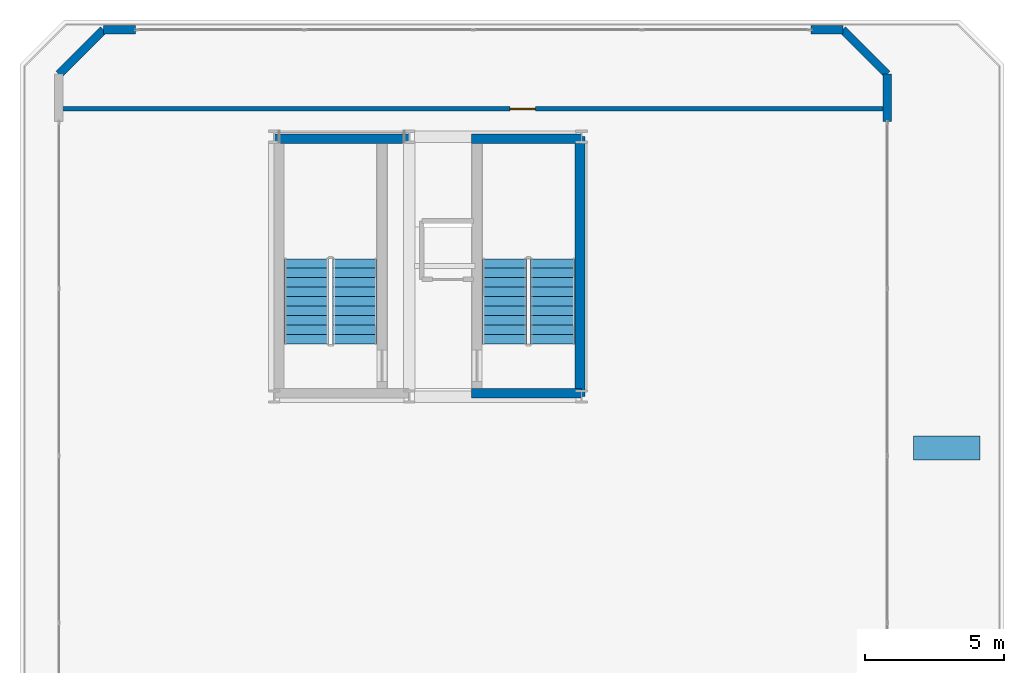
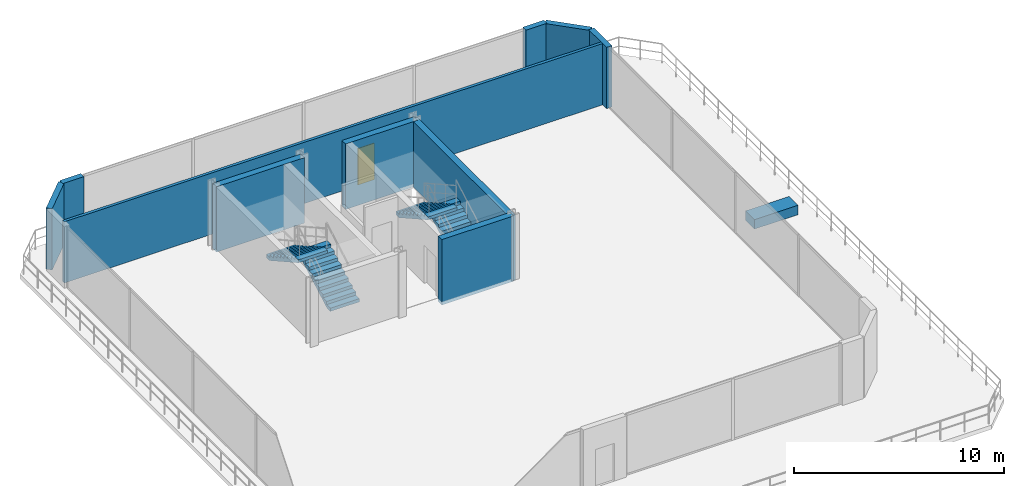
# One storey, part 17 of 19: 10 walls, 4 stair flights, 1 building element part, 1 door, 1 opening, 2 elements without a shape of their own.
"""IFC4 building model written with IfcOpenShell, lengths in metres."""

from ifc_helpers import new_model, si_unit, direction, frame, frame_2d, origin, origin_2d, place, context, subcontext, project, spatial, polyline, rectangle, outline, extrude, material, layer, layer_set, type_object, element, fill, aggregate, save


model = new_model("IFC4")

# Units and contexts
model_context = context("Model", 3, precision=1e-05, world=origin(), true_north=direction((0.0, 1.0)))
body_context = subcontext(model_context, "Body", "Model", "MODEL_VIEW")
ifc_project = project(units=[si_unit("LENGTHUNIT", "METRE"), si_unit("AREAUNIT", "SQUARE_METRE"), si_unit("VOLUMEUNIT", "CUBIC_METRE"), si_unit("PLANEANGLEUNIT", "RADIAN"), si_unit("MASSUNIT", "GRAM", prefix="KILO")], contexts=[model_context])

# Site, building, storey
site_placement = place(None, origin())
site = spatial("IfcSite", under=ifc_project, at=site_placement, CompositionType="ELEMENT")
building_placement = place(site_placement, origin())
building = spatial("IfcBuilding", under=site, at=building_placement, Name="Zuhayl Quay Hotel", CompositionType="ELEMENT")
storey_placement = place(building_placement, frame((0.0, 0.0, 304.85009765625)))
storey = spatial("IfcBuildingStorey", under=building, at=storey_placement, Name="Crown 3", CompositionType="ELEMENT", Elevation=304.85009765625)

# Walls
ifc_material_1 = material(Name="Precast concrete C45/55", Category="concrete")
ifc_layer_1 = layer(ifc_material_1, 0.300048828125, Name="Precast concrete C45/55", Category="concrete")
ifc_layer_set_1 = layer_set([ifc_layer_1], Name="Precast concrete C45/55")
wall_type_1 = type_object("IfcWallType", Name="WL_EXT_300", PredefinedType="STANDARD", material=ifc_layer_set_1)
wall_1_placement = place(storey_placement, frame((-17.199951171875, 36.699951171875, 0.0), z_axis=(0.0, 0.0, 1.0), x_axis=(0.707052830339, 0.707160727918, 0.0)))
element("IfcWall", 1, at=wall_1_placement, inside=storey, type_object=wall_type_1, Name="Crown 3 Exterior Precast Wall ENV_CR3_EW2", PredefinedType="STANDARD", context=body_context, shape_type="SweptSolid", body=[
    extrude(rectangle(XDim=2.2626953125, YDim=0.300048828125, at=frame_2d((1.13134765625, 0.0))), origin(), (0.0, 0.0, 1.0), 3.559814453125),
])
wall_2_placement = place(storey_placement, frame((-15.60009765625, 38.300048828125, 0.0), z_axis=(0.0, 0.0, 1.0), x_axis=(1.0, 0.0, 0.0)))
element("IfcWall", 2, at=wall_2_placement, inside=storey, type_object=wall_type_1, Name="Crown 3 Exterior Precast Wall ENV_CR3_E3_EW1", PredefinedType="STANDARD", context=body_context, shape_type="SweptSolid", body=[
    extrude(rectangle(XDim=1.150146484375, YDim=0.300048828125, at=frame_2d((0.5751953125, 0.0))), origin(), (0.0, 0.0, 1.0), 3.559814453125),
])
wall_3_placement = place(storey_placement, frame((9.85009765625, 38.300048828125, 0.0), z_axis=(0.0, 0.0, 1.0), x_axis=(1.0, 0.0, 0.0)))
element("IfcWall", 3, at=wall_3_placement, inside=storey, type_object=wall_type_1, Name="Crown 3 Exterior Precast Wall ENV_CR3_E3_EW2", PredefinedType="STANDARD", context=body_context, shape_type="SweptSolid", body=[
    extrude(rectangle(XDim=1.14990234375, YDim=0.300048828125, at=frame_2d((0.574951171875, 0.0))), origin(), (0.0, 0.0, 1.0), 3.559814453125),
])
wall_4_placement = place(storey_placement, frame((11.0, 38.300048828125, 0.0), z_axis=(0.0, 0.0, 1.0), x_axis=(0.707106781187, -0.707106781187, 0.0)))
element("IfcWall", 4, at=wall_4_placement, inside=storey, type_object=wall_type_1, Name="Crown 3 Exterior Precast Wall ENV_CR3_EW4", PredefinedType="STANDARD", context=body_context, shape_type="SweptSolid", body=[
    extrude(rectangle(XDim=2.262939453125, YDim=0.300048828125, at=frame_2d((1.13134765625, 0.0))), origin(), (0.0, 0.0, 1.0), 3.559814453125),
])
wall_5_placement = place(storey_placement, frame((12.60009765625, 36.699951171875, 0.0), z_axis=(0.0, 0.0, 1.0), x_axis=(0.0, -1.0, 0.0)))
element("IfcWall", 5, at=wall_5_placement, inside=storey, type_object=wall_type_1, Name="Crown 3 Exterior Precast Wall ENV_CR3_E5_EW1", PredefinedType="STANDARD", context=body_context, shape_type="SweptSolid", body=[
    extrude(rectangle(XDim=1.699951171875, YDim=0.300048828125, at=frame_2d((0.85009765625, 0.0))), origin(), (0.0, 0.0, 1.0), 3.559814453125),
])

# Wall, opening, door
ifc_material_2 = material(Name="Acoustic Gypsum Partition STC-58")
ifc_layer_2 = layer(ifc_material_2, 0.159912109375, Name="Acoustic Gypsum Partition STC-58")
ifc_layer_set_2 = layer_set([ifc_layer_2], Name="Acoustic Gypsum Partition STC-58")
wall_type_2 = type_object("IfcWallType", Name="WL_PART_CORR_160", PredefinedType="PARTITIONING", material=ifc_layer_set_2)
wall_6_placement = place(storey_placement, frame((-17.139892578125, 35.449951171875, 0.0), z_axis=(0.0, 0.0, 1.0), x_axis=(1.0, 0.0, 0.0)))
wall_6 = element("IfcWall", 6, at=wall_6_placement, inside=storey, type_object=wall_type_2, Name="Crown 3 Partition IW_CR3_DIV", PredefinedType="PARTITIONING", context=body_context, shape_type="SweptSolid", body=[
    extrude(rectangle(XDim=29.679931640625, YDim=0.159912109375, at=frame_2d((14.83984375, 0.0))), origin(), (0.0, 0.0, 1.0), 3.559814453125),
])
opening_placement = place(wall_6_placement, frame((16.1650390625, 0.0, 0.0)))
opening = element("IfcOpeningElement", 7, at=opening_placement, cuts=wall_6, Name="Opening D05", PredefinedType="OPENING", context=body_context, shape_type="SweptSolid", body=[
    extrude(rectangle(XDim=0.919921875, YDim=2.1201171875, at=frame_2d((0.4599609375, 1.06005859375))), frame((0.0, 0.08984375, 0.0), z_axis=(0.0, -1.0, 0.0), x_axis=(1.0, 0.0, 0.0)), (0.0, 0.0, 1.0), 0.179931640625),
])
ifc_material_3 = material(Name="Solid Walnut Acoustic Fire Door")
door_type = type_object("IfcDoorType", Name="DR_INT_950", OperationType="NOTDEFINED", PredefinedType="DOOR", material=ifc_material_3)
door_placement = place(opening_placement, origin())
door = element("IfcDoor", 8, at=door_placement, inside=storey, type_object=door_type, Name="Crown 3 Equipment Room Door", OperationType="SINGLE_SWING_LEFT", OverallHeight=2.1201171875, OverallWidth=0.919921875, PredefinedType="DOOR", context=body_context, shape_type="SweptSolid", body=[
    extrude(rectangle(XDim=0.919921875, YDim=2.1201171875, at=frame_2d((0.4599609375, 1.06005859375))), frame((0.0, 0.02490234375, 0.0), z_axis=(0.0, -1.0, 0.0), x_axis=(1.0, 0.0, 0.0)), (0.0, 0.0, 1.0), 0.050048828125),
])
fill(opening, door)

# Walls
ifc_material_4 = material(Name="Concrete C50/60", Category="concrete")
ifc_layer_3 = layer(ifc_material_4, 0.35009765625, Name="Concrete C50/60", Category="concrete")
ifc_layer_set_3 = layer_set([ifc_layer_3], Name="Concrete C50/60")
wall_type_3 = type_object("IfcWallType", Name="WL_STAIR_350", PredefinedType="SHEAR", material=ifc_layer_set_3)
wall_7_placement = place(storey_placement, frame((-9.449951171875, 34.3798828125, -0.190185546875), z_axis=(0.0, 0.0, 1.0), x_axis=(1.0, 0.0, 0.0)))
element("IfcWall", 9, at=wall_7_placement, inside=storey, type_object=wall_type_3, Name="Crown 3 Crown Stair Shear Wall SW_ST5_N", PredefinedType="SHEAR", context=body_context, shape_type="SweptSolid", body=[
    extrude(rectangle(XDim=4.849853515625, YDim=0.35009765625, at=frame_2d((2.4248046875, 0.0))), origin(), (0.0, 0.0, 1.0), 3.800048828125),
])
wall_8_placement = place(storey_placement, frame((1.544921875, 25.10009765625, -0.190185546875), z_axis=(0.0, 0.0, 1.0), x_axis=(0.0, 1.0, 0.0)))
element("IfcWall", 10, at=wall_8_placement, inside=storey, type_object=wall_type_3, Name="Crown 3 Crown Stair Shear Wall SW_ST6_E", PredefinedType="SHEAR", context=body_context, shape_type="SweptSolid", body=[
    extrude(rectangle(XDim=9.349853515625, YDim=0.35009765625, at=frame_2d((4.6748046875, 0.0))), origin(), (0.0, 0.0, 1.0), 3.800048828125),
])
for number, where, z_axis, x_axis, name in (
    (11, (-2.35009765625, 25.219970703125, -0.190185546875), (0.0, 0.0, 1.0), (1.0, 0.0, 0.0), "Crown 3 Crown Stair Shear Wall SW_ST6_S"),
    (12, (-2.35009765625, 34.3798828125, -0.190185546875), (0.0, 0.0, 1.0), (1.0, 0.0, 0.0), "Crown 3 Crown Stair Shear Wall SW_ST6_N"),
):
    element("IfcWall", number, at=place(storey_placement, frame(where, z_axis=z_axis, x_axis=x_axis)), inside=storey, type_object=wall_type_3, Name=name, PredefinedType="SHEAR", context=body_context, shape_type="SweptSolid", body=[
        extrude(rectangle(XDim=3.9501953125, YDim=0.35009765625, at=frame_2d((1.97509765625, 0.0))), origin(), (0.0, 0.0, 1.0), 3.800048828125),
    ])

# Stair, stair flights
ifc_material_5 = material(Name="Concrete C45/55", Category="concrete")
stair_type = type_object("IfcStairType", Name="ST_DOGLEG_PODIUM", PredefinedType="HALF_TURN_STAIR", material=ifc_material_5)
stair_1_placement = place(storey_placement, origin())
stair_1 = element("IfcStair", 13, at=stair_1_placement, inside=storey, type_object=stair_type, Name="Crown 3 Smokeproof Exit Stair ST5", PredefinedType="HALF_TURN_STAIR")
ifc_layer_4 = layer(ifc_material_5, 0.159912109375, Name="Concrete C45/55", Category="concrete")
ifc_layer_set_4 = layer_set([ifc_layer_4], Name="Concrete C45/55")
stair_flight_type = type_object("IfcStairFlightType", Name="SF_CONC_160", PredefinedType="STRAIGHT", material=ifc_layer_set_4)
stair_flight_1_placement = place(storey_placement, frame((-6.550048828125, 27.0, 0.0), z_axis=(0.0, 0.0, 1.0), x_axis=(0.0, 1.0, 0.0)))
stair_flight_1 = element("IfcStairFlight", 14, at=stair_flight_1_placement, type_object=stair_flight_type, Name="ST5 flight 1", NumberOfRisers=10, NumberOfTreads=9, PredefinedType="STRAIGHT", RiserHeight=0.19, TreadLength=0.34, context=body_context, shape_type="SweptSolid", body=[
    extrude(outline(polyline([(0.0, 0.0), (0.0, 0.18994140625), (0.340087890625, 0.18994140625), (0.340087890625, 0.3798828125), (0.679931640625, 0.3798828125), (0.679931640625, 0.570068359375), (1.02001953125, 0.570068359375), (1.02001953125, 0.760009765625), (1.360107421875, 0.760009765625), (1.360107421875, 0.949951171875), (1.699951171875, 0.949951171875), (1.699951171875, 1.139892578125), (2.0400390625, 1.139892578125), (2.0400390625, 1.330078125), (2.3798828125, 1.330078125), (2.3798828125, 1.52001953125), (2.719970703125, 1.52001953125), (2.719970703125, 1.7099609375), (3.06005859375, 1.7099609375), (3.06005859375, 1.89990234375), (3.06005859375, 1.538330078125), (0.307373046875, 0.0), (0.0, 0.0)])), frame((0.0, 0.800048828125, 0.0), z_axis=(0.0, -1.0, 0.0), x_axis=(1.0, 0.0, 0.0)), (0.0, 0.0, 1.0), 1.60009765625),
])
stair_flight_2_placement = place(storey_placement, frame((-8.300048828125, 30.06005859375, 1.89990234375), z_axis=(0.0, 0.0, 1.0), x_axis=(0.0, -1.0, 0.0)))
stair_flight_2 = element("IfcStairFlight", 15, at=stair_flight_2_placement, type_object=stair_flight_type, Name="ST5 flight 2", NumberOfRisers=10, NumberOfTreads=9, PredefinedType="STRAIGHT", RiserHeight=0.19, TreadLength=0.34, context=body_context, shape_type="SweptSolid", body=[
    extrude(outline(polyline([(0.0, 0.0), (0.0, 0.18994140625), (0.340087890625, 0.18994140625), (0.340087890625, 0.3798828125), (0.679931640625, 0.3798828125), (0.679931640625, 0.570068359375), (1.02001953125, 0.570068359375), (1.02001953125, 0.760009765625), (1.360107421875, 0.760009765625), (1.360107421875, 0.949951171875), (1.699951171875, 0.949951171875), (1.699951171875, 1.139892578125), (2.0400390625, 1.139892578125), (2.0400390625, 1.330078125), (2.3798828125, 1.330078125), (2.3798828125, 1.52001953125), (2.719970703125, 1.52001953125), (2.719970703125, 1.7099609375), (3.06005859375, 1.7099609375), (3.06005859375, 1.89990234375), (3.06005859375, 1.538330078125), (0.307373046875, 0.0), (0.0, 0.0)])), frame((0.0, 0.800048828125, 0.0), z_axis=(0.0, -1.0, 0.0), x_axis=(1.0, 0.0, 0.0)), (0.0, 0.0, 1.0), 1.60009765625),
])
aggregate(stair_1, [stair_flight_1, stair_flight_2])

stair_2_placement = place(storey_placement, origin())
stair_2 = element("IfcStair", 16, at=stair_2_placement, inside=storey, type_object=stair_type, Name="Crown 3 Smokeproof Exit Stair ST6", PredefinedType="HALF_TURN_STAIR")
stair_flight_3_placement = place(storey_placement, frame((0.570068359375, 27.0, 0.0), z_axis=(0.0, 0.0, 1.0), x_axis=(0.0, 1.0, 0.0)))
stair_flight_3 = element("IfcStairFlight", 17, at=stair_flight_3_placement, type_object=stair_flight_type, Name="ST6 flight 1", NumberOfRisers=10, NumberOfTreads=9, PredefinedType="STRAIGHT", RiserHeight=0.19, TreadLength=0.34, context=body_context, shape_type="SweptSolid", body=[
    extrude(outline(polyline([(0.0, 0.0), (0.0, 0.18994140625), (0.340087890625, 0.18994140625), (0.340087890625, 0.3798828125), (0.679931640625, 0.3798828125), (0.679931640625, 0.570068359375), (1.02001953125, 0.570068359375), (1.02001953125, 0.760009765625), (1.360107421875, 0.760009765625), (1.360107421875, 0.949951171875), (1.699951171875, 0.949951171875), (1.699951171875, 1.139892578125), (2.0400390625, 1.139892578125), (2.0400390625, 1.330078125), (2.3798828125, 1.330078125), (2.3798828125, 1.52001953125), (2.719970703125, 1.52001953125), (2.719970703125, 1.7099609375), (3.06005859375, 1.7099609375), (3.06005859375, 1.89990234375), (3.06005859375, 1.538330078125), (0.307373046875, 0.0), (0.0, 0.0)])), frame((0.0, 0.800048828125, 0.0), z_axis=(0.0, -1.0, 0.0), x_axis=(1.0, 0.0, 0.0)), (0.0, 0.0, 1.0), 1.60009765625),
])
stair_flight_4_placement = place(storey_placement, frame((-1.179931640625, 30.06005859375, 1.89990234375), z_axis=(0.0, 0.0, 1.0), x_axis=(0.0, -1.0, 0.0)))
stair_flight_4 = element("IfcStairFlight", 18, at=stair_flight_4_placement, type_object=stair_flight_type, Name="ST6 flight 2", NumberOfRisers=10, NumberOfTreads=9, PredefinedType="STRAIGHT", RiserHeight=0.19, TreadLength=0.34, context=body_context, shape_type="SweptSolid", body=[
    extrude(outline(polyline([(0.0, 0.0), (0.0, 0.18994140625), (0.340087890625, 0.18994140625), (0.340087890625, 0.3798828125), (0.679931640625, 0.3798828125), (0.679931640625, 0.570068359375), (1.02001953125, 0.570068359375), (1.02001953125, 0.760009765625), (1.360107421875, 0.760009765625), (1.360107421875, 0.949951171875), (1.699951171875, 0.949951171875), (1.699951171875, 1.139892578125), (2.0400390625, 1.139892578125), (2.0400390625, 1.330078125), (2.3798828125, 1.330078125), (2.3798828125, 1.52001953125), (2.719970703125, 1.52001953125), (2.719970703125, 1.7099609375), (3.06005859375, 1.7099609375), (3.06005859375, 1.89990234375), (3.06005859375, 1.538330078125), (0.307373046875, 0.0), (0.0, 0.0)])), frame((0.0, 0.800048828125, 0.0), z_axis=(0.0, -1.0, 0.0), x_axis=(1.0, 0.0, 0.0)), (0.0, 0.0, 1.0), 1.60009765625),
])
aggregate(stair_2, [stair_flight_3, stair_flight_4])

# Building element part
ifc_layer_5 = layer(ifc_material_1, 0.550048828125, Name="Precast concrete C45/55", Category="concrete")
ifc_layer_set_5 = layer_set([ifc_layer_5], Name="Precast concrete C45/55")
building_element_part_type = type_object("IfcBuildingElementPartType", Name="PT_PLANTER_KERB", PredefinedType="PRECASTPANEL", material=ifc_layer_set_5)
building_element_part_placement = place(storey_placement, frame((14.7451171875, 23.25, 0.0), z_axis=(0.0, 0.0, 1.0), x_axis=(1.0, 0.0, 0.0)))
element("IfcBuildingElementPart", 19, at=building_element_part_placement, inside=storey, type_object=building_element_part_type, Name="Crown 3 Stepped Crown Planter Box", PredefinedType="PRECASTPANEL", context=body_context, shape_type="SweptSolid", body=[
    extrude(rectangle(XDim=2.39990234375, YDim=0.85009765625, at=origin_2d()), origin(), (0.0, 0.0, 1.0), 0.550048828125),
])

save(model, "model.ifc")
